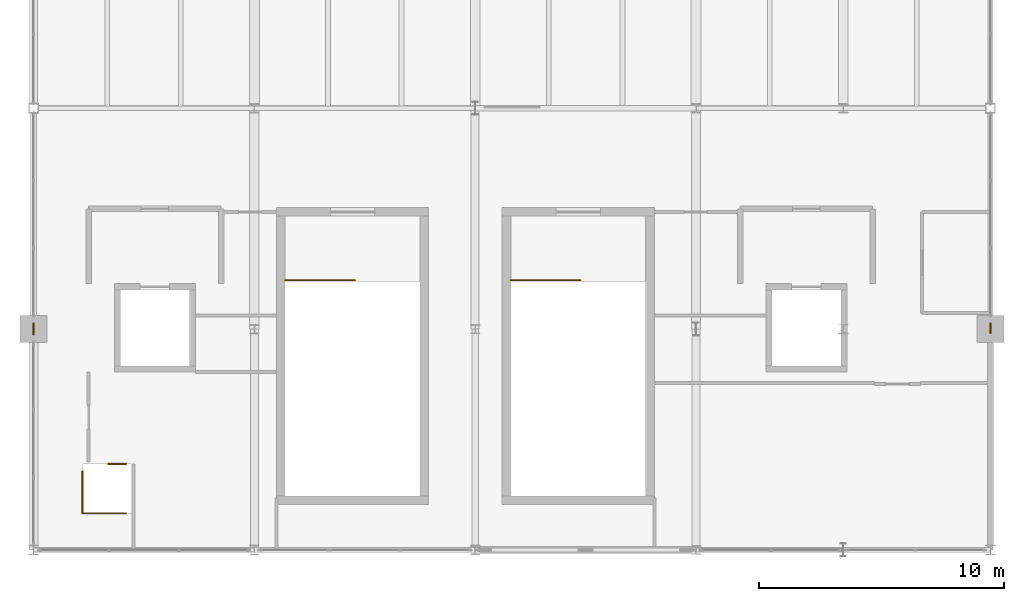
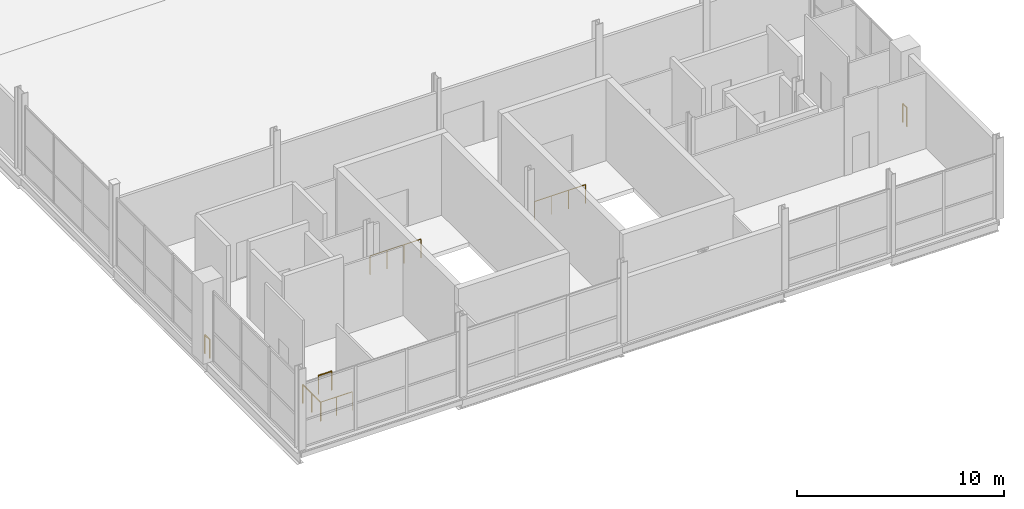
# One storey, part 27 of 29: 7 railings.
"""IFC4 building model written with IfcOpenShell, lengths in metres."""

from ifc_helpers import new_model, si_unit, direction, frame, origin, origin_2d, place, context, subcontext, project, spatial, circle, extrude, material, type_object, element, save


model = new_model("IFC4")

# Units and contexts
model_context = context("Model", 3, precision=1e-05, world=origin(), true_north=direction((0.0, 1.0)))
body_context = subcontext(model_context, "Body", "Model", "MODEL_VIEW")
ifc_project = project(units=[si_unit("LENGTHUNIT", "METRE"), si_unit("AREAUNIT", "SQUARE_METRE"), si_unit("VOLUMEUNIT", "CUBIC_METRE"), si_unit("PLANEANGLEUNIT", "RADIAN"), si_unit("MASSUNIT", "GRAM", prefix="KILO")], contexts=[model_context])

# Site, building, storey
site_placement = place(None, origin())
site = spatial("IfcSite", under=ifc_project, at=site_placement, CompositionType="ELEMENT")
building_placement = place(site_placement, origin())
building = spatial("IfcBuilding", under=site, at=building_placement, Name="Qamarlyn Nura Convention Centre", CompositionType="ELEMENT")
storey_placement = place(building_placement, frame((0.0, 0.0, 25.199951171875)))
storey = spatial("IfcBuildingStorey", under=building, at=storey_placement, Name="L05", CompositionType="ELEMENT", Elevation=25.199951171875)

# Railings
ifc_material = material(Name="Marine Grade 316 stainless steel", Category="steel")
railing_type_1 = type_object("IfcRailingType", Name="GRD-STAIR-112", PredefinedType="BALUSTRADE", material=ifc_material)
for number, where, name in (
    (1, (163.25, 10.989990234375, 0.0), "L05 ST-09 top well guard 1"),
    (2, (172.449951171875, 10.989990234375, 0.0), "L05 ST-10 top well guard 1"),
):
    element("IfcRailing", number, at=place(storey_placement, frame(where)), inside=storey, type_object=railing_type_1, Name=name, PredefinedType="BALUSTRADE", context=body_context, shape_type="SweptSolid", body=[
        extrude(circle(Radius=0.02392578125, at=origin_2d()), frame((0.0, 0.0, 1.09619140625), z_axis=(1.0, 0.0, 0.0), x_axis=(0.0, 1.0, 0.0)), (0.0, 0.0, 1.0), 2.840087890625),
        extrude(circle(Radius=0.02099609375, at=origin_2d()), origin(), (0.0, 0.0, 1.0), 1.070068359375),
        extrude(circle(Radius=0.02099609375, at=origin_2d()), frame((0.94677734375, 0.0, 0.0)), (0.0, 0.0, 1.0), 1.070068359375),
        extrude(circle(Radius=0.02099609375, at=origin_2d()), frame((1.893310546875, 0.0, 0.0)), (0.0, 0.0, 1.0), 1.070068359375),
        extrude(circle(Radius=0.02099609375, at=origin_2d()), frame((2.840087890625, 0.0, 0.0)), (0.0, 0.0, 1.0), 1.070068359375),
    ])
railing_type_2 = type_object("IfcRailingType", Name="GRD-VOID-112", PredefinedType="BALUSTRADE", material=ifc_material)
railing_1_placement = place(storey_placement, frame((153.0, 8.77001953125, 0.0)))
element("IfcRailing", 3, at=railing_1_placement, inside=storey, type_object=railing_type_2, Name="L05 slab edge balustrade guard 089", PredefinedType="BALUSTRADE", context=body_context, shape_type="SweptSolid", body=[
    extrude(circle(Radius=0.02392578125, at=origin_2d()), frame((0.0, 0.0, 1.09619140625), z_axis=(0.0, 1.0, 0.0), x_axis=(-1.0, 0.0, 0.0)), (0.0, 0.0, 1.0), 0.4599609375),
    extrude(circle(Radius=0.02099609375, at=origin_2d()), origin(), (0.0, 0.0, 1.0), 1.070068359375),
    extrude(circle(Radius=0.02099609375, at=origin_2d()), frame((0.0, 0.4599609375, 0.0)), (0.0, 0.0, 1.0), 1.070068359375),
])
railing_2_placement = place(storey_placement, frame((192.0, 9.22998046875, 0.0)))
element("IfcRailing", 4, at=railing_2_placement, inside=storey, type_object=railing_type_2, Name="L05 slab edge balustrade guard 094", PredefinedType="BALUSTRADE", context=body_context, shape_type="SweptSolid", body=[
    extrude(circle(Radius=0.02392578125, at=origin_2d()), frame((0.0, 0.0, 1.09619140625), z_axis=(0.0, -1.0, 0.0), x_axis=(1.0, 0.0, 0.0)), (0.0, 0.0, 1.0), 0.39990234375),
    extrude(circle(Radius=0.02099609375, at=origin_2d()), origin(), (0.0, 0.0, 1.0), 1.070068359375),
    extrude(circle(Radius=0.02099609375, at=origin_2d()), frame((0.0, -0.39990234375, 0.0)), (0.0, 0.0, 1.0), 1.070068359375),
])
railing_3_placement = place(storey_placement, frame((155.0, 1.5, 0.0)))
element("IfcRailing", 5, at=railing_3_placement, inside=storey, type_object=railing_type_2, Name="L05 slab edge balustrade guard 095", PredefinedType="BALUSTRADE", context=body_context, shape_type="SweptSolid", body=[
    extrude(circle(Radius=0.02392578125, at=origin_2d()), frame((0.0, 0.0, 1.09619140625), z_axis=(1.0, 0.0, 0.0), x_axis=(0.0, 1.0, 0.0)), (0.0, 0.0, 1.0), 1.77001953125),
    extrude(circle(Radius=0.02099609375, at=origin_2d()), origin(), (0.0, 0.0, 1.0), 1.070068359375),
    extrude(circle(Radius=0.02099609375, at=origin_2d()), frame((0.885009765625, 0.0, 0.0)), (0.0, 0.0, 1.0), 1.070068359375),
    extrude(circle(Radius=0.02099609375, at=origin_2d()), frame((1.77001953125, 0.0, 0.0)), (0.0, 0.0, 1.0), 1.070068359375),
])
railing_4_placement = place(storey_placement, frame((156.77001953125, 3.5, 0.0)))
element("IfcRailing", 6, at=railing_4_placement, inside=storey, type_object=railing_type_2, Name="L05 slab edge balustrade guard 096", PredefinedType="BALUSTRADE", context=body_context, shape_type="SweptSolid", body=[
    extrude(circle(Radius=0.02392578125, at=origin_2d()), frame((0.0, 0.0, 1.09619140625), z_axis=(-1.0, 0.0, 0.0), x_axis=(0.0, -1.0, 0.0)), (0.0, 0.0, 1.0), 0.73095703125),
    extrude(circle(Radius=0.02099609375, at=origin_2d()), origin(), (0.0, 0.0, 1.0), 1.070068359375),
    extrude(circle(Radius=0.02099609375, at=origin_2d()), frame((-0.73095703125, 0.0, 0.0)), (0.0, 0.0, 1.0), 1.070068359375),
])
railing_5_placement = place(storey_placement, frame((155.0, 3.21337890625, 0.0)))
element("IfcRailing", 7, at=railing_5_placement, inside=storey, type_object=railing_type_2, Name="L05 slab edge balustrade guard 097", PredefinedType="BALUSTRADE", context=body_context, shape_type="SweptSolid", body=[
    extrude(circle(Radius=0.02392578125, at=origin_2d()), frame((0.0, 0.0, 1.09619140625), z_axis=(0.0, -1.0, 0.0), x_axis=(1.0, 0.0, 0.0)), (0.0, 0.0, 1.0), 1.71337890625),
    extrude(circle(Radius=0.02099609375, at=origin_2d()), origin(), (0.0, 0.0, 1.0), 1.070068359375),
    extrude(circle(Radius=0.02099609375, at=origin_2d()), frame((0.0, -0.856689453125, 0.0)), (0.0, 0.0, 1.0), 1.070068359375),
    extrude(circle(Radius=0.02099609375, at=origin_2d()), frame((0.0, -1.71337890625, 0.0)), (0.0, 0.0, 1.0), 1.070068359375),
])

save(model, "model.ifc")
